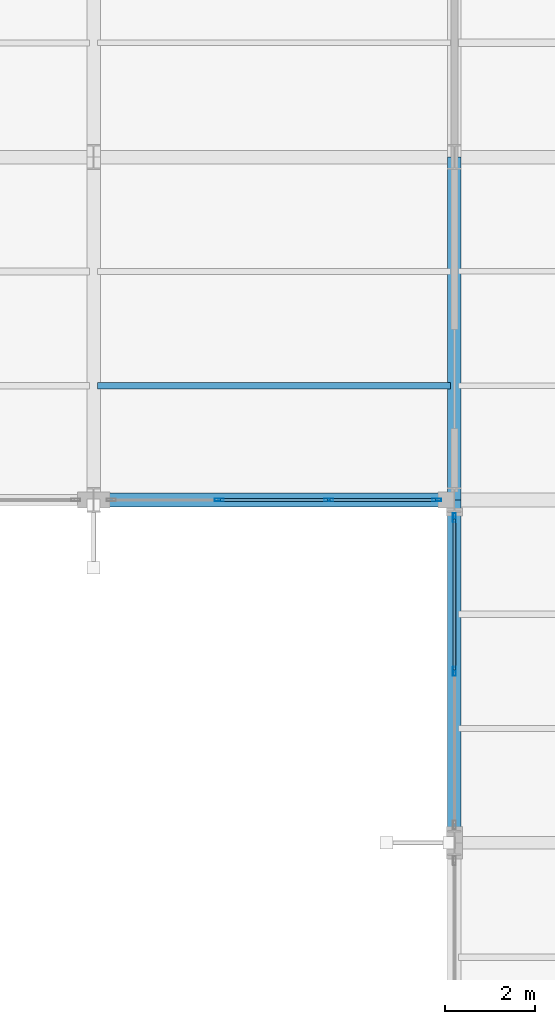
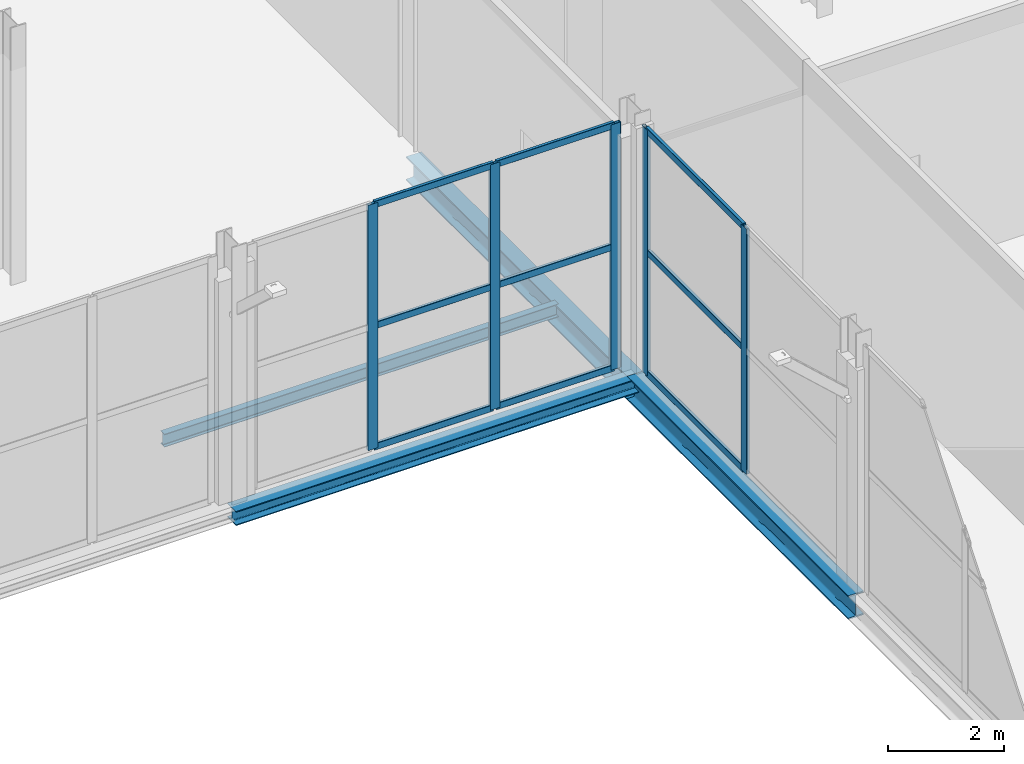
# One storey, part 70 of 147: 14 members, 4 beams, 2 elements without a shape of their own.
"""IFC4 building model written with IfcOpenShell, lengths in metres."""

from ifc_helpers import new_model, si_unit, direction, frame, origin, origin_2d, place, context, subcontext, project, spatial, hollow_rectangle, i_section, extrude, material, layer, layer_set, material_profile, profile_set, type_object, element, aggregate, save


model = new_model("IFC4")

# Units and contexts
model_context = context("Model", 3, precision=1e-05, world=origin(), true_north=direction((0.0, 1.0)))
body_context = subcontext(model_context, "Body", "Model", "MODEL_VIEW")
ifc_project = project(units=[si_unit("LENGTHUNIT", "METRE"), si_unit("AREAUNIT", "SQUARE_METRE"), si_unit("VOLUMEUNIT", "CUBIC_METRE"), si_unit("PLANEANGLEUNIT", "RADIAN"), si_unit("MASSUNIT", "GRAM", prefix="KILO")], contexts=[model_context])

# Site, building, storey
site_placement = place(None, origin())
site = spatial("IfcSite", under=ifc_project, at=site_placement, CompositionType="ELEMENT")
building_placement = place(site_placement, origin())
building = spatial("IfcBuilding", under=site, at=building_placement, Name="Vekula Escarpment Museum", CompositionType="ELEMENT")
storey_placement = place(building_placement, frame((0.0, 0.0, 7.800048828125)))
storey = spatial("IfcBuildingStorey", under=building, at=storey_placement, Name="L02", CompositionType="ELEMENT", Elevation=7.800048828125)

# Beams
ifc_material_1 = material(Name="Steel S355", Category="steel")
ifc_material_profile_1 = material_profile(ifc_material_1, i_section(OverallWidth=0.300048828125, OverallDepth=0.300048828125, WebThickness=0.010986328125, FlangeThickness=0.01904296875, FilletRadius=0.027099609375, at=origin_2d()), Name="HEB 300")
ifc_profile_set_1 = profile_set([ifc_material_profile_1], Name="Steel S355")
beam_type_1 = type_object("IfcBeamType", Name="BM-GIRD-HEB300", PredefinedType="BEAM", material=ifc_profile_set_1)
beam_1_placement = place(storey_placement, frame((86.0, 120.800048828125, -0.41015625), z_axis=(1.0, 0.0, 0.0), x_axis=(0.0, 1.0, 0.0)))
element("IfcBeam", 1, at=beam_1_placement, inside=storey, type_object=beam_type_1, Name="Beam X L02 0989", PredefinedType="BEAM", context=body_context, shape_type="SweptSolid", body=[
    extrude(i_section(OverallWidth=0.300048828125, OverallDepth=0.300048828125, WebThickness=0.010986328125, FlangeThickness=0.01904296875, FilletRadius=0.027099609375, at=origin_2d()), origin(), (0.0, 0.0, 1.0), 8.0),
])
ifc_material_2 = material(Name="Steel S355", Category="steel")
ifc_material_profile_2 = material_profile(ifc_material_2, i_section(OverallWidth=0.300048828125, OverallDepth=0.5, WebThickness=0.014404296875, FlangeThickness=0.028076171875, FilletRadius=0.027099609375, at=origin_2d()), Name="HEB 500")
ifc_profile_set_2 = profile_set([ifc_material_profile_2], Name="Steel S355")
beam_type_2 = type_object("IfcBeamType", Name="BM-GIRD-HEB500", PredefinedType="BEAM", material=ifc_profile_set_2)
beam_2_placement = place(storey_placement, frame((94.0, 113.199951171875, -0.510009765625), z_axis=(0.0, 1.0, 0.0), x_axis=(-1.0, 0.0, 0.0)))
element("IfcBeam", 2, at=beam_2_placement, inside=storey, type_object=beam_type_2, Name="Beam Y L02 1165", PredefinedType="BEAM", context=body_context, shape_type="SweptSolid", body=[
    extrude(i_section(OverallWidth=0.300048828125, OverallDepth=0.5, WebThickness=0.014404296875, FlangeThickness=0.028076171875, FilletRadius=0.027099609375, at=origin_2d()), origin(), (0.0, 0.0, 1.0), 7.60009765625),
])
beam_3_placement = place(storey_placement, frame((94.0, 120.800048828125, -0.510009765625), z_axis=(0.0, 1.0, 0.0), x_axis=(-1.0, 0.0, 0.0)))
element("IfcBeam", 3, at=beam_3_placement, inside=storey, type_object=beam_type_2, Name="Beam Y L02 1166", PredefinedType="BEAM", context=body_context, shape_type="SweptSolid", body=[
    extrude(i_section(OverallWidth=0.300048828125, OverallDepth=0.5, WebThickness=0.014404296875, FlangeThickness=0.028076171875, FilletRadius=0.027099609375, at=origin_2d()), origin(), (0.0, 0.0, 1.0), 7.599853515625),
])
ifc_material_3 = material(Name="Steel S355", Category="steel")
ifc_material_profile_3 = material_profile(ifc_material_3, i_section(OverallWidth=0.135009765625, OverallDepth=0.27001953125, WebThickness=0.006591796875, FlangeThickness=0.01025390625, FilletRadius=0.014892578125, at=origin_2d()), Name="IPE 270")
ifc_profile_set_3 = profile_set([ifc_material_profile_3], Name="Steel S355")
beam_type_3 = type_object("IfcBeamType", Name="BM-JST-IPE270", PredefinedType="JOIST", material=ifc_profile_set_3)
beam_4_placement = place(storey_placement, frame((86.090087890625, 123.333251953125, -0.39501953125), z_axis=(1.0, 0.0, 0.0), x_axis=(0.0, 1.0, 0.0)))
element("IfcBeam", 4, at=beam_4_placement, inside=storey, type_object=beam_type_3, Name="Secondary Joist L02 0760", PredefinedType="JOIST", context=body_context, shape_type="SweptSolid", body=[
    extrude(i_section(OverallWidth=0.135009765625, OverallDepth=0.27001953125, WebThickness=0.006591796875, FlangeThickness=0.01025390625, FilletRadius=0.014892578125, at=origin_2d()), origin(), (0.0, 0.0, 1.0), 7.81982421875),
])

# Curtain wall, members
ifc_material_4 = material(Name="Aluminium thermally broken framing", Category="aluminium")
ifc_layer_1 = layer(ifc_material_4, 0.139892578125)
ifc_layer_set_1 = layer_set([ifc_layer_1], Name="Aluminium thermally broken framing")
curtain_wall_type_1 = type_object("IfcCurtainWallType", Name="CW-SYS-06", PredefinedType="NOTDEFINED", material=ifc_layer_set_1)
curtain_wall_1_placement = place(storey_placement, origin())
curtain_wall_1 = element("IfcCurtainWall", 5, at=curtain_wall_1_placement, inside=storey, type_object=curtain_wall_type_1, Name="Curtain Wall CW-L02-086", PredefinedType="NOTDEFINED")
ifc_material_5 = material(Name="Aluminium anodized mullion", Category="aluminium")
ifc_material_profile_4 = material_profile(ifc_material_5, hollow_rectangle(XDim=0.06494140625, YDim=0.199951171875, WallThickness=0.00390625, InnerFilletRadius=0.00390625, OuterFilletRadius=0.008056640625, at=origin_2d()), Name="ALU 200x65x4")
ifc_profile_set_4 = profile_set([ifc_material_profile_4], Name="Aluminium anodized mullion")
member_type_1 = type_object("IfcMemberType", Name="CW-MUL-200", PredefinedType="MULLION", material=ifc_profile_set_4)
member_1_placement = place(storey_placement, frame((88.78662109375, 120.800048828125, 0.0), z_axis=(0.0, 0.0, 1.0), x_axis=(0.0, 1.0, 0.0)))
member_1 = element("IfcMember", 6, at=member_1_placement, type_object=member_type_1, Name="CW-06 mullion 2", PredefinedType="MULLION", context=body_context, shape_type="SweptSolid", body=[
    extrude(hollow_rectangle(XDim=0.06494140625, YDim=0.199951171875, WallThickness=0.00390625, InnerFilletRadius=0.00390625, OuterFilletRadius=0.008056640625, at=origin_2d()), origin(), (0.0, 0.0, 1.0), 5.14990234375),
])
member_2_placement = place(storey_placement, frame((91.21337890625, 120.800048828125, 0.0), z_axis=(0.0, 0.0, 1.0), x_axis=(0.0, 1.0, 0.0)))
member_2 = element("IfcMember", 7, at=member_2_placement, type_object=member_type_1, Name="CW-06 mullion 3", PredefinedType="MULLION", context=body_context, shape_type="SweptSolid", body=[
    extrude(hollow_rectangle(XDim=0.06494140625, YDim=0.199951171875, WallThickness=0.00390625, InnerFilletRadius=0.00390625, OuterFilletRadius=0.008056640625, at=origin_2d()), origin(), (0.0, 0.0, 1.0), 5.14990234375),
])
member_3_placement = place(storey_placement, frame((93.607421875, 120.800048828125, 0.0), z_axis=(0.0, 0.0, 1.0), x_axis=(0.0, 1.0, 0.0)))
member_3 = element("IfcMember", 8, at=member_3_placement, type_object=member_type_1, Name="CW-06 mullion 4", PredefinedType="MULLION", context=body_context, shape_type="SweptSolid", body=[
    extrude(hollow_rectangle(XDim=0.06494140625, YDim=0.199951171875, WallThickness=0.00390625, InnerFilletRadius=0.00390625, OuterFilletRadius=0.008056640625, at=origin_2d()), origin(), (0.0, 0.0, 1.0), 5.14990234375),
])

ifc_material_6 = material(Name="Aluminium thermally broken framing", Category="aluminium")
ifc_layer_2 = layer(ifc_material_6, 0.179931640625)
ifc_layer_set_2 = layer_set([ifc_layer_2], Name="Aluminium thermally broken framing")
curtain_wall_type_2 = type_object("IfcCurtainWallType", Name="CW-SYS-07", PredefinedType="NOTDEFINED", material=ifc_layer_set_2)
curtain_wall_2_placement = place(storey_placement, origin())
curtain_wall_2 = element("IfcCurtainWall", 9, at=curtain_wall_2_placement, inside=storey, type_object=curtain_wall_type_2, Name="Curtain Wall CW-L02-087", PredefinedType="NOTDEFINED")
member_4_placement = place(storey_placement, frame((94.0, 120.407470703125, 0.0), z_axis=(0.0, 0.0, 1.0), x_axis=(1.0, 0.0, 0.0)))
member_4 = element("IfcMember", 10, at=member_4_placement, type_object=member_type_1, Name="CW-07 mullion 1", PredefinedType="MULLION", context=body_context, shape_type="SweptSolid", body=[
    extrude(hollow_rectangle(XDim=0.06494140625, YDim=0.199951171875, WallThickness=0.00390625, InnerFilletRadius=0.00390625, OuterFilletRadius=0.008056640625, at=origin_2d()), origin(), (0.0, 0.0, 1.0), 5.14990234375),
])
member_5_placement = place(storey_placement, frame((94.0, 117.0, 0.0), z_axis=(0.0, 0.0, 1.0), x_axis=(1.0, 0.0, 0.0)))
member_5 = element("IfcMember", 11, at=member_5_placement, type_object=member_type_1, Name="CW-07 mullion 2", PredefinedType="MULLION", context=body_context, shape_type="SweptSolid", body=[
    extrude(hollow_rectangle(XDim=0.06494140625, YDim=0.199951171875, WallThickness=0.00390625, InnerFilletRadius=0.00390625, OuterFilletRadius=0.008056640625, at=origin_2d()), origin(), (0.0, 0.0, 1.0), 5.14990234375),
])

# Member
ifc_material_7 = material(Name="Aluminium anodized transom", Category="aluminium")
ifc_material_profile_5 = material_profile(ifc_material_7, hollow_rectangle(XDim=0.06494140625, YDim=0.139892578125, WallThickness=0.00390625, InnerFilletRadius=0.00390625, OuterFilletRadius=0.008056640625, at=origin_2d()), Name="ALU 140x65x4")
ifc_profile_set_5 = profile_set([ifc_material_profile_5], Name="Aluminium anodized transom")
member_type_2 = type_object("IfcMemberType", Name="CW-TRN-140", PredefinedType="USERDEFINED", material=ifc_profile_set_5)
member_6_placement = place(storey_placement, frame((88.819091796875, 120.800048828125, 0.032470703125), z_axis=(1.0, 0.0, 0.0), x_axis=(0.0, 1.0, 0.0)))
member_6 = element("IfcMember", 12, at=member_6_placement, type_object=member_type_2, Name="CW-06 transom 2.1", ObjectType="TRANSOM", PredefinedType="USERDEFINED", context=body_context, shape_type="SweptSolid", body=[
    extrude(hollow_rectangle(XDim=0.06494140625, YDim=0.139892578125, WallThickness=0.00390625, InnerFilletRadius=0.00390625, OuterFilletRadius=0.008056640625, at=origin_2d()), origin(), (0.0, 0.0, 1.0), 2.36181640625),
])

member_7_placement = place(storey_placement, frame((88.819091796875, 120.800048828125, 2.574951171875), z_axis=(1.0, 0.0, 0.0), x_axis=(0.0, 1.0, 0.0)))
member_7 = element("IfcMember", 13, at=member_7_placement, type_object=member_type_2, Name="CW-06 transom 2.2", ObjectType="TRANSOM", PredefinedType="USERDEFINED", context=body_context, shape_type="SweptSolid", body=[
    extrude(hollow_rectangle(XDim=0.06494140625, YDim=0.139892578125, WallThickness=0.00390625, InnerFilletRadius=0.00390625, OuterFilletRadius=0.008056640625, at=origin_2d()), origin(), (0.0, 0.0, 1.0), 2.36181640625),
])

member_8_placement = place(storey_placement, frame((88.819091796875, 120.800048828125, 5.117431640625), z_axis=(1.0, 0.0, 0.0), x_axis=(0.0, 1.0, 0.0)))
member_8 = element("IfcMember", 14, at=member_8_placement, type_object=member_type_2, Name="CW-06 transom 2.3", ObjectType="TRANSOM", PredefinedType="USERDEFINED", context=body_context, shape_type="SweptSolid", body=[
    extrude(hollow_rectangle(XDim=0.06494140625, YDim=0.139892578125, WallThickness=0.00390625, InnerFilletRadius=0.00390625, OuterFilletRadius=0.008056640625, at=origin_2d()), origin(), (0.0, 0.0, 1.0), 2.36181640625),
])

member_9_placement = place(storey_placement, frame((91.245849609375, 120.800048828125, 0.032470703125), z_axis=(1.0, 0.0, 0.0), x_axis=(0.0, 1.0, 0.0)))
member_9 = element("IfcMember", 15, at=member_9_placement, type_object=member_type_2, Name="CW-06 transom 3.1", ObjectType="TRANSOM", PredefinedType="USERDEFINED", context=body_context, shape_type="SweptSolid", body=[
    extrude(hollow_rectangle(XDim=0.06494140625, YDim=0.139892578125, WallThickness=0.00390625, InnerFilletRadius=0.00390625, OuterFilletRadius=0.008056640625, at=origin_2d()), origin(), (0.0, 0.0, 1.0), 2.3291015625),
])

member_10_placement = place(storey_placement, frame((91.245849609375, 120.800048828125, 2.574951171875), z_axis=(1.0, 0.0, 0.0), x_axis=(0.0, 1.0, 0.0)))
member_10 = element("IfcMember", 16, at=member_10_placement, type_object=member_type_2, Name="CW-06 transom 3.2", ObjectType="TRANSOM", PredefinedType="USERDEFINED", context=body_context, shape_type="SweptSolid", body=[
    extrude(hollow_rectangle(XDim=0.06494140625, YDim=0.139892578125, WallThickness=0.00390625, InnerFilletRadius=0.00390625, OuterFilletRadius=0.008056640625, at=origin_2d()), origin(), (0.0, 0.0, 1.0), 2.3291015625),
])

member_11_placement = place(storey_placement, frame((91.245849609375, 120.800048828125, 5.117431640625), z_axis=(1.0, 0.0, 0.0), x_axis=(0.0, 1.0, 0.0)))
member_11 = element("IfcMember", 17, at=member_11_placement, type_object=member_type_2, Name="CW-06 transom 3.3", ObjectType="TRANSOM", PredefinedType="USERDEFINED", context=body_context, shape_type="SweptSolid", body=[
    extrude(hollow_rectangle(XDim=0.06494140625, YDim=0.139892578125, WallThickness=0.00390625, InnerFilletRadius=0.00390625, OuterFilletRadius=0.008056640625, at=origin_2d()), origin(), (0.0, 0.0, 1.0), 2.3291015625),
])

aggregate(curtain_wall_1, [member_1, member_2, member_3, member_6, member_7, member_8, member_9, member_10, member_11])

member_12_placement = place(storey_placement, frame((94.0, 120.375, 0.032470703125), z_axis=(0.0, -1.0, 0.0), x_axis=(1.0, 0.0, 0.0)))
member_12 = element("IfcMember", 18, at=member_12_placement, type_object=member_type_2, Name="CW-07 transom 1.1", ObjectType="TRANSOM", PredefinedType="USERDEFINED", context=body_context, shape_type="SweptSolid", body=[
    extrude(hollow_rectangle(XDim=0.06494140625, YDim=0.139892578125, WallThickness=0.00390625, InnerFilletRadius=0.00390625, OuterFilletRadius=0.008056640625, at=origin_2d()), origin(), (0.0, 0.0, 1.0), 3.342529296875),
])

member_13_placement = place(storey_placement, frame((94.0, 120.375, 2.574951171875), z_axis=(0.0, -1.0, 0.0), x_axis=(1.0, 0.0, 0.0)))
member_13 = element("IfcMember", 19, at=member_13_placement, type_object=member_type_2, Name="CW-07 transom 1.2", ObjectType="TRANSOM", PredefinedType="USERDEFINED", context=body_context, shape_type="SweptSolid", body=[
    extrude(hollow_rectangle(XDim=0.06494140625, YDim=0.139892578125, WallThickness=0.00390625, InnerFilletRadius=0.00390625, OuterFilletRadius=0.008056640625, at=origin_2d()), origin(), (0.0, 0.0, 1.0), 3.342529296875),
])

member_14_placement = place(storey_placement, frame((94.0, 120.375, 5.117431640625), z_axis=(0.0, -1.0, 0.0), x_axis=(1.0, 0.0, 0.0)))
member_14 = element("IfcMember", 20, at=member_14_placement, type_object=member_type_2, Name="CW-07 transom 1.3", ObjectType="TRANSOM", PredefinedType="USERDEFINED", context=body_context, shape_type="SweptSolid", body=[
    extrude(hollow_rectangle(XDim=0.06494140625, YDim=0.139892578125, WallThickness=0.00390625, InnerFilletRadius=0.00390625, OuterFilletRadius=0.008056640625, at=origin_2d()), origin(), (0.0, 0.0, 1.0), 3.342529296875),
])

aggregate(curtain_wall_2, [member_4, member_5, member_12, member_13, member_14])

save(model, "model.ifc")
